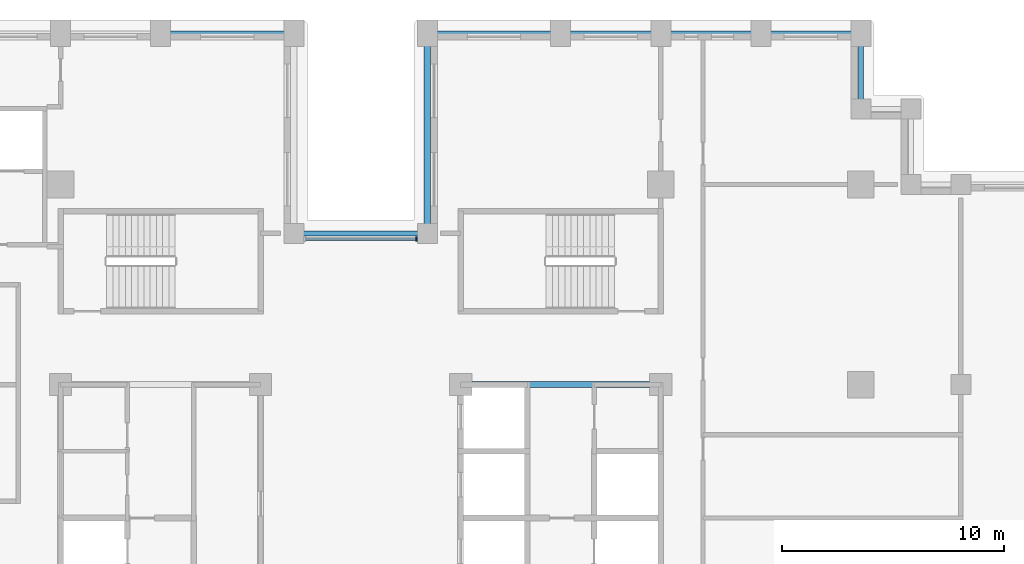
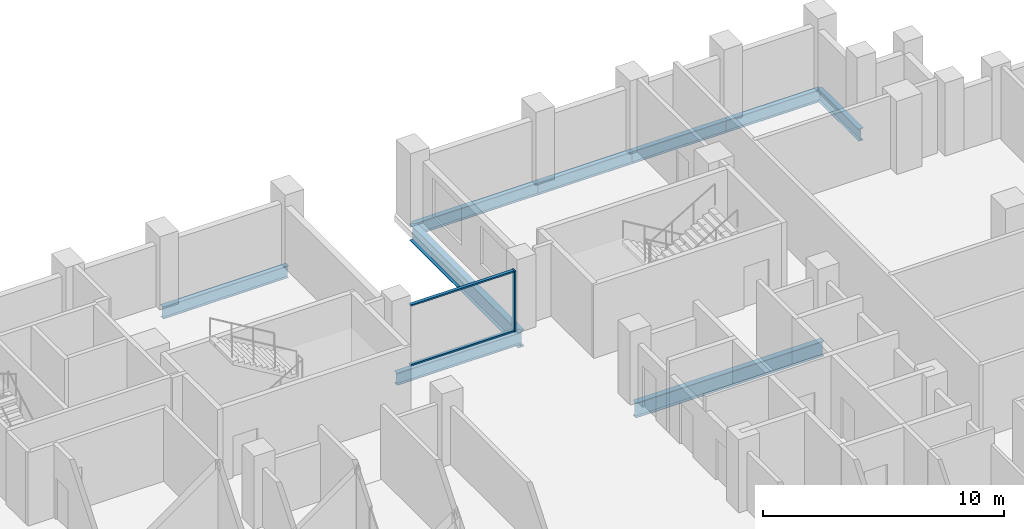
# One storey, part 4 of 15: 9 beams, 3 members, 1 element without a shape of its own.
"""IFC4 building model written with IfcOpenShell, lengths in metres."""

from ifc_helpers import new_model, si_unit, direction, frame, origin, origin_2d, place, context, subcontext, project, spatial, rectangle, i_section, extrude, material, layer, layer_set, material_profile, profile_set, type_object, element, aggregate, save


model = new_model("IFC4")

# Units and contexts
model_context = context("Model", 3, precision=1e-05, world=origin(), true_north=direction((0.0, 1.0)))
body_context = subcontext(model_context, "Body", "Model", "MODEL_VIEW")
ifc_project = project(units=[si_unit("LENGTHUNIT", "METRE"), si_unit("AREAUNIT", "SQUARE_METRE"), si_unit("VOLUMEUNIT", "CUBIC_METRE"), si_unit("PLANEANGLEUNIT", "RADIAN"), si_unit("MASSUNIT", "GRAM", prefix="KILO")], contexts=[model_context])

# Site, building, storey
site_placement = place(None, origin())
site = spatial("IfcSite", under=ifc_project, at=site_placement, CompositionType="ELEMENT")
building_placement = place(site_placement, origin())
building = spatial("IfcBuilding", under=site, at=building_placement, Name="Corbelhall Arena Tower", CompositionType="ELEMENT")
storey_placement = place(building_placement, frame((0.0, 0.0, 80.0)))
storey = spatial("IfcBuildingStorey", under=building, at=storey_placement, Name="L12", CompositionType="ELEMENT", Elevation=80.0)

# Curtain wall, members
ifc_material_1 = material(Name="Aluminium black anodised", Category="aluminium")
ifc_layer = layer(ifc_material_1, 0.199951171875)
ifc_layer_set = layer_set([ifc_layer], Name="EV-CW1 Slot back wall")
curtain_wall_type = type_object("IfcCurtainWallType", Name="EV-CW1 Slot back wall", PredefinedType="NOTDEFINED", material=ifc_layer_set)
curtain_wall_placement = place(storey_placement, origin())
curtain_wall = element("IfcCurtainWall", 1, at=curtain_wall_placement, inside=storey, type_object=curtain_wall_type, Name="Curtain wall CW1", PredefinedType="NOTDEFINED")
ifc_material_profile_1 = material_profile(ifc_material_1, rectangle(XDim=0.199951171875, YDim=0.074951171875, at=origin_2d()))
ifc_profile_set_1 = profile_set([ifc_material_profile_1], Name="Aluminium black anodised")
member_type_1 = type_object("IfcMemberType", Name="EV-CW1-MULLION", PredefinedType="MULLION", material=ifc_profile_set_1)
member_1_placement = place(storey_placement, frame((2.512451171875, 15.550048828125, 0.0), z_axis=(0.0, 0.0, 1.0), x_axis=(0.0, -1.0, 0.0)))
member_1 = element("IfcMember", 2, at=member_1_placement, type_object=member_type_1, Name="CW1 mullion 1", PredefinedType="MULLION", context=body_context, shape_type="SweptSolid", body=[
    extrude(rectangle(XDim=0.199951171875, YDim=0.074951171875, at=origin_2d()), origin(), (0.0, 0.0, 1.0), 3.10009765625),
])
ifc_material_profile_2 = material_profile(ifc_material_1, rectangle(XDim=0.14990234375, YDim=0.074951171875, at=origin_2d()))
ifc_profile_set_2 = profile_set([ifc_material_profile_2], Name="Aluminium black anodised")
member_type_2 = type_object("IfcMemberType", Name="EV-CW1-TRANSOM", PredefinedType="USERDEFINED", material=ifc_profile_set_2)
member_2_placement = place(storey_placement, frame((2.47509765625, 15.550048828125, 0.03759765625), z_axis=(-1.0, 0.0, 0.0), x_axis=(0.0, -1.0, 0.0)))
member_2 = element("IfcMember", 3, at=member_2_placement, type_object=member_type_2, Name="CW1 transom 1.1", ObjectType="transom", PredefinedType="USERDEFINED", context=body_context, shape_type="SweptSolid", body=[
    extrude(rectangle(XDim=0.14990234375, YDim=0.074951171875, at=origin_2d()), origin(), (0.0, 0.0, 1.0), 4.9501953125),
])
member_3_placement = place(storey_placement, frame((2.47509765625, 15.550048828125, 3.0625), z_axis=(-1.0, 0.0, 0.0), x_axis=(0.0, -1.0, 0.0)))
member_3 = element("IfcMember", 4, at=member_3_placement, type_object=member_type_2, Name="CW1 transom 1.2", ObjectType="transom", PredefinedType="USERDEFINED", context=body_context, shape_type="SweptSolid", body=[
    extrude(rectangle(XDim=0.14990234375, YDim=0.074951171875, at=origin_2d()), origin(), (0.0, 0.0, 1.0), 4.9501953125),
])
aggregate(curtain_wall, [member_1, member_2, member_3])

# Beams
ifc_material_2 = material(Name="Steel ASTM A992 Gr50", Category="steel")
ifc_material_profile_3 = material_profile(ifc_material_2, i_section(OverallWidth=0.2666015625, OverallDepth=0.761962890625, WebThickness=0.014404296875, FlangeThickness=0.021484375, at=origin_2d()))
ifc_profile_set_3 = profile_set([ifc_material_profile_3], Name="Steel ASTM A992 Gr50")
beam_type_1 = type_object("IfcBeamType", Name="ST-BEAM-W30x116", PredefinedType="BEAM", material=ifc_profile_set_3)
beam_1_placement = place(storey_placement, frame((4.5, 9.0, -0.680908203125), z_axis=(1.0, 0.0, 0.0), x_axis=(0.0, 1.0, 0.0)))
element("IfcBeam", 5, at=beam_1_placement, inside=storey, type_object=beam_type_1, Name="Beam CEE 12", PredefinedType="BEAM", context=body_context, shape_type="SweptSolid", body=[
    extrude(i_section(OverallWidth=0.2666015625, OverallDepth=0.761962890625, WebThickness=0.014404296875, FlangeThickness=0.021484375, at=origin_2d()), origin(), (0.0, 0.0, 1.0), 9.0),
])
ifc_material_profile_4 = material_profile(ifc_material_2, i_section(OverallWidth=0.23046875, OverallDepth=0.6171875, WebThickness=0.01318359375, FlangeThickness=0.022216796875, at=origin_2d()))
ifc_profile_set_4 = profile_set([ifc_material_profile_4], Name="Steel ASTM A992 Gr50")
beam_type_2 = type_object("IfcBeamType", Name="ST-SPANDREL-W24x94", PredefinedType="SPANDREL", material=ifc_profile_set_4)
beam_2_placement = place(storey_placement, frame((3.0, 24.800048828125, -0.608642578125), z_axis=(1.0, 0.0, 0.0), x_axis=(0.0, 1.0, 0.0)))
element("IfcBeam", 6, at=beam_2_placement, inside=storey, type_object=beam_type_2, Name="Beam SP 17", PredefinedType="SPANDREL", context=body_context, shape_type="SweptSolid", body=[
    extrude(i_section(OverallWidth=0.23046875, OverallDepth=0.6171875, WebThickness=0.01318359375, FlangeThickness=0.022216796875, at=origin_2d()), origin(), (0.0, 0.0, 1.0), 6.0),
])
for number, where, z_axis, x_axis, name in (
    (7, (9.0, 24.800048828125, -0.608642578125), (1.0, 0.0, 0.0), (0.0, 1.0, 0.0), "Beam SP 18"),
    (8, (13.5, 24.800048828125, -0.608642578125), (1.0, 0.0, 0.0), (0.0, 1.0, 0.0), "Beam SP 19"),
    (9, (18.0, 24.800048828125, -0.608642578125), (1.0, 0.0, 0.0), (0.0, 1.0, 0.0), "Beam SP 20"),
):
    element("IfcBeam", number, at=place(storey_placement, frame(where, z_axis=z_axis, x_axis=x_axis)), inside=storey, type_object=beam_type_2, Name=name, PredefinedType="SPANDREL", context=body_context, shape_type="SweptSolid", body=[
        extrude(i_section(OverallWidth=0.23046875, OverallDepth=0.6171875, WebThickness=0.01318359375, FlangeThickness=0.022216796875, at=origin_2d()), origin(), (0.0, 0.0, 1.0), 4.5),
    ])
beam_3_placement = place(storey_placement, frame((22.5, 24.800048828125, -0.608642578125), z_axis=(0.0, -1.0, 0.0), x_axis=(1.0, 0.0, 0.0)))
element("IfcBeam", 10, at=beam_3_placement, inside=storey, type_object=beam_type_2, Name="Beam SP 21", PredefinedType="SPANDREL", context=body_context, shape_type="SweptSolid", body=[
    extrude(i_section(OverallWidth=0.23046875, OverallDepth=0.6171875, WebThickness=0.01318359375, FlangeThickness=0.022216796875, at=origin_2d()), origin(), (0.0, 0.0, 1.0), 3.400146484375),
])
for number, where, z_axis, x_axis, name in (
    (11, (-9.0, 24.800048828125, -0.608642578125), (1.0, 0.0, 0.0), (0.0, 1.0, 0.0), "Beam SP 23"),
    (12, (-3.0, 15.800048828125, -0.608642578125), (1.0, 0.0, 0.0), (0.0, 1.0, 0.0), "Beam SP 40"),
):
    element("IfcBeam", number, at=place(storey_placement, frame(where, z_axis=z_axis, x_axis=x_axis)), inside=storey, type_object=beam_type_2, Name=name, PredefinedType="SPANDREL", context=body_context, shape_type="SweptSolid", body=[
        extrude(i_section(OverallWidth=0.23046875, OverallDepth=0.6171875, WebThickness=0.01318359375, FlangeThickness=0.022216796875, at=origin_2d()), origin(), (0.0, 0.0, 1.0), 6.0),
    ])
ifc_material_profile_5 = material_profile(ifc_material_2, i_section(OverallWidth=0.2919921875, OverallDepth=0.845703125, WebThickness=0.015380859375, FlangeThickness=0.0244140625, at=origin_2d()))
ifc_profile_set_5 = profile_set([ifc_material_profile_5], Name="Steel ASTM A992 Gr50")
beam_type_3 = type_object("IfcBeamType", Name="ST-SPANDREL-W33x141", PredefinedType="SPANDREL", material=ifc_profile_set_5)
beam_4_placement = place(storey_placement, frame((3.0, 15.800048828125, -0.722900390625), z_axis=(0.0, 1.0, 0.0), x_axis=(-1.0, 0.0, 0.0)))
element("IfcBeam", 13, at=beam_4_placement, inside=storey, type_object=beam_type_3, Name="Beam SP 39", PredefinedType="SPANDREL", context=body_context, shape_type="SweptSolid", body=[
    extrude(i_section(OverallWidth=0.2919921875, OverallDepth=0.845703125, WebThickness=0.015380859375, FlangeThickness=0.0244140625, at=origin_2d()), origin(), (0.0, 0.0, 1.0), 9.0),
])

save(model, "model.ifc")
